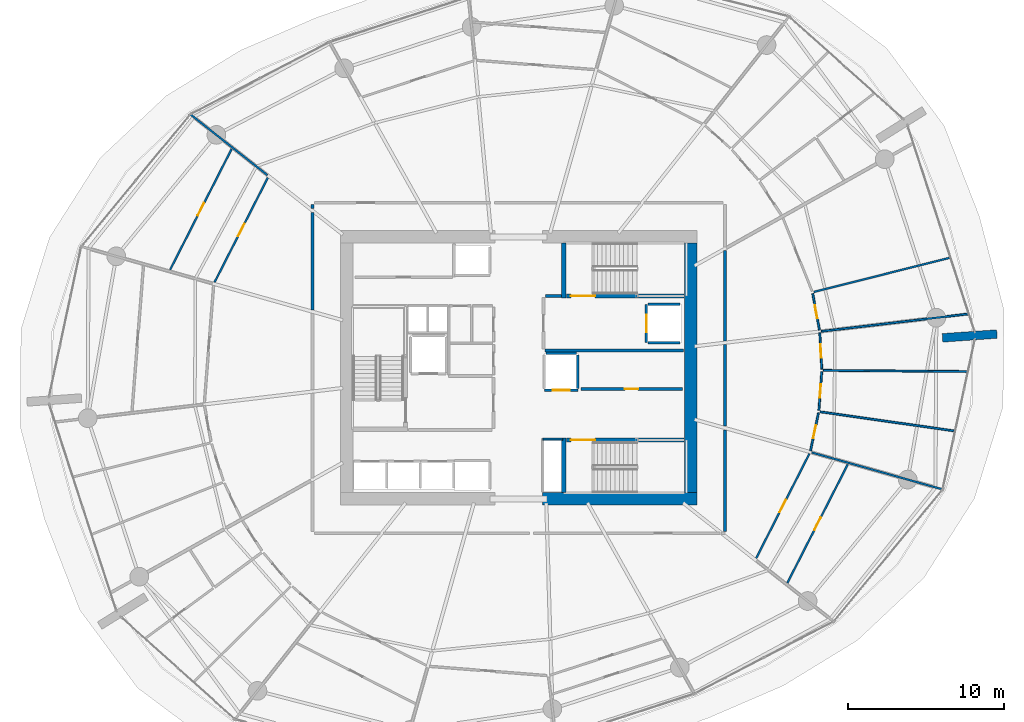
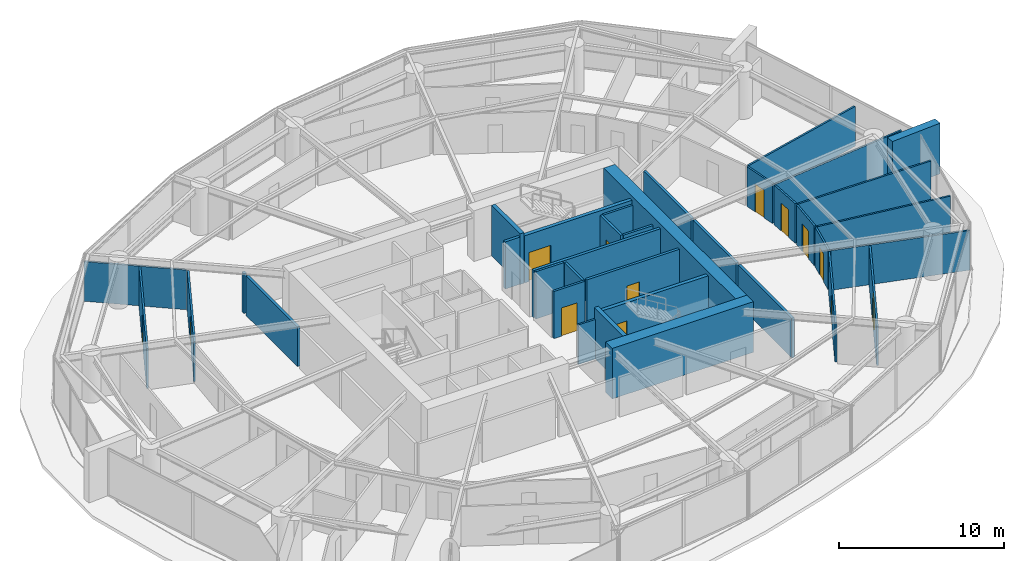
# One storey, part 14 of 17: 36 walls, 13 doors, 13 openings.
"""IFC4 building model written with IfcOpenShell, lengths in metres."""

from ifc_helpers import new_model, si_unit, direction, frame, frame_2d, origin, place, context, subcontext, project, spatial, rectangle, extrude, material, layer, layer_set, type_object, element, fill, save


model = new_model("IFC4")

# Units and contexts
model_context = context("Model", 3, precision=1e-05, world=origin(), true_north=direction((0.0, 1.0)))
body_context = subcontext(model_context, "Body", "Model", "MODEL_VIEW")
ifc_project = project(units=[si_unit("LENGTHUNIT", "METRE"), si_unit("AREAUNIT", "SQUARE_METRE"), si_unit("VOLUMEUNIT", "CUBIC_METRE"), si_unit("PLANEANGLEUNIT", "RADIAN"), si_unit("MASSUNIT", "GRAM", prefix="KILO")], contexts=[model_context])

# Site, building, storey
site_placement = place(None, origin())
site = spatial("IfcSite", under=ifc_project, at=site_placement, CompositionType="ELEMENT")
building_placement = place(site_placement, origin())
building = spatial("IfcBuilding", under=site, at=building_placement, Name="Kazma Halo Residences", CompositionType="ELEMENT")
storey_placement = place(building_placement, frame((0.0, 0.0, 75.14990234375)))
storey = spatial("IfcBuildingStorey", under=building, at=storey_placement, Name="L18", CompositionType="ELEMENT", Elevation=75.14990234375)

# Walls
ifc_material_1 = material(Name="Pale Concrete C60/75", Category="concrete")
ifc_layer_1 = layer(ifc_material_1, 0.550048828125)
ifc_layer_set_1 = layer_set([ifc_layer_1], Name="Pale Concrete C60/75")
wall_type_1 = type_object("IfcWallType", Name="WL-BLADE-550", PredefinedType="SOLIDWALL", material=ifc_layer_set_1)
wall_1_placement = place(storey_placement, frame((75.606201171875, 43.930419921875, 0.0), z_axis=(0.0, 0.0, 1.0), x_axis=(0.997564163539, 0.069754853754, 0.0)))
element("IfcWall", 1, at=wall_1_placement, inside=storey, type_object=wall_type_1, Name="L18 pale concrete structural blade fin wall BW-04", PredefinedType="SOLIDWALL", context=body_context, shape_type="SweptSolid", body=[
    extrude(rectangle(XDim=3.5, YDim=0.550048828125, at=frame_2d((1.75, 0.0))), origin(), (0.0, 0.0, 1.0), 3.75),
])
ifc_material_2 = material(Name="Concrete C80/95", Category="concrete")
ifc_layer_2 = layer(ifc_material_2, 0.800048828125)
ifc_layer_set_2 = layer_set([ifc_layer_2], Name="Concrete C80/95")
wall_type_2 = type_object("IfcWallType", Name="WL-CORE-800", PredefinedType="SHEAR", material=ifc_layer_set_2)
wall_2_placement = place(storey_placement, frame((49.949951171875, 33.60009765625, 0.0), z_axis=(0.0, 0.0, 1.0), x_axis=(1.0, 0.0, 0.0)))
element("IfcWall", 2, at=wall_2_placement, inside=storey, type_object=wall_type_2, Name="L18 central core shear wall SE", PredefinedType="SHEAR", context=body_context, shape_type="SweptSolid", body=[
    extrude(rectangle(XDim=9.900146484375, YDim=0.800048828125, at=frame_2d((4.9501953125, 0.0))), origin(), (0.0, 0.0, 1.0), 3.75),
])
wall_3_placement = place(storey_placement, frame((59.449951171875, 34.0, 0.0), z_axis=(0.0, 0.0, 1.0), x_axis=(0.0, 1.0, 0.0)))
element("IfcWall", 3, at=wall_3_placement, inside=storey, type_object=wall_type_2, Name="L18 central core shear wall E", PredefinedType="SHEAR", context=body_context, shape_type="SweptSolid", body=[
    extrude(rectangle(XDim=16.0, YDim=0.800048828125, at=frame_2d((8.0, 0.0))), origin(), (0.0, 0.0, 1.0), 3.75),
])
ifc_material_3 = material(Name="Concrete C60/75", Category="concrete")
ifc_layer_3 = layer(ifc_material_3, 0.280029296875)
ifc_layer_set_3 = layer_set([ifc_layer_3], Name="Concrete C60/75")
wall_type_3 = type_object("IfcWallType", Name="WL-CORE-ST-280", PredefinedType="SHEAR", material=ifc_layer_set_3)
for number, where, z_axis, x_axis, name in (
    (4, (51.31005859375, 46.5, 0.0), (0.0, 0.0, 1.0), (0.0, 1.0, 0.0), "L18 stairwell bearing wall ST02-W"),
    (5, (51.31005859375, 34.0, 0.0), (0.0, 0.0, 1.0), (0.0, 1.0, 0.0), "L18 stairwell bearing wall ST03-W"),
):
    element("IfcWall", number, at=place(storey_placement, frame(where, z_axis=z_axis, x_axis=x_axis)), inside=storey, type_object=wall_type_3, Name=name, PredefinedType="SHEAR", context=body_context, shape_type="SweptSolid", body=[
        extrude(rectangle(XDim=3.5, YDim=0.280029296875, at=frame_2d((1.75, 0.0))), origin(), (0.0, 0.0, 1.0), 3.75),
    ])
ifc_material_4 = material(Name="Acoustic Twin-Stud Gypsum")
ifc_layer_4 = layer(ifc_material_4, 0.179931640625)
ifc_layer_set_4 = layer_set([ifc_layer_4], Name="Acoustic Twin-Stud Gypsum")
wall_type_4 = type_object("IfcWallType", Name="WL-DEM-180", PredefinedType="PARTITIONING", material=ifc_layer_set_4)
wall_4_placement = place(storey_placement, frame((35.199951171875, 52.47998046875, 0.0), z_axis=(0.0, 0.0, 1.0), x_axis=(0.0, -1.0, 0.0)))
element("IfcWall", 6, at=wall_4_placement, inside=storey, type_object=wall_type_4, Name="L18 Apartment 1 entrance corridor wall", PredefinedType="PARTITIONING", context=body_context, shape_type="SweptSolid", body=[
    extrude(rectangle(XDim=0.269287109375, YDim=0.179931640625, at=frame_2d((0.134765625, 0.0))), origin(), (0.0, 0.0, 1.0), 2.940185546875),
])
wall_5_placement = place(storey_placement, frame((35.199951171875, 51.970703125, 0.0), z_axis=(0.0, 0.0, 1.0), x_axis=(0.0, -1.0, 0.0)))
element("IfcWall", 7, at=wall_5_placement, inside=storey, type_object=wall_type_4, Name="L18 Apartment 1 inner wall 5", PredefinedType="PARTITIONING", context=body_context, shape_type="SweptSolid", body=[
    extrude(rectangle(XDim=6.24072265625, YDim=0.179931640625, at=frame_2d((3.120361328125, 0.0))), origin(), (0.0, 0.0, 1.0), 2.940185546875),
])
wall_6_placement = place(storey_placement, frame((61.64990234375, 31.52001953125, 0.0), z_axis=(0.0, 0.0, 1.0), x_axis=(0.0, 1.0, 0.0)))
element("IfcWall", 8, at=wall_6_placement, inside=storey, type_object=wall_type_4, Name="L18 Apartment 2 inner wall 13", PredefinedType="PARTITIONING", context=body_context, shape_type="SweptSolid", body=[
    extrude(rectangle(XDim=6.51025390625, YDim=0.179931640625, at=frame_2d((3.255126953125, 0.0))), origin(), (0.0, 0.0, 1.0), 2.940185546875),
])
wall_7_placement = place(storey_placement, frame((61.64990234375, 38.270263671875, 0.0), z_axis=(0.0, 0.0, 1.0), x_axis=(0.0, 1.0, 0.0)))
element("IfcWall", 9, at=wall_7_placement, inside=storey, type_object=wall_type_4, Name="L18 Apartment 2 inner wall 14", PredefinedType="PARTITIONING", context=body_context, shape_type="SweptSolid", body=[
    extrude(rectangle(XDim=5.225341796875, YDim=0.179931640625, at=frame_2d((2.61279296875, 0.0))), origin(), (0.0, 0.0, 1.0), 2.940185546875),
])
wall_8_placement = place(storey_placement, frame((61.64990234375, 43.735595703125, 0.0), z_axis=(0.0, 0.0, 1.0), x_axis=(0.0, 1.0, 0.0)))
element("IfcWall", 10, at=wall_8_placement, inside=storey, type_object=wall_type_4, Name="L18 Apartment 2 inner wall 15", PredefinedType="PARTITIONING", context=body_context, shape_type="SweptSolid", body=[
    extrude(rectangle(XDim=5.788818359375, YDim=0.179931640625, at=frame_2d((2.89453125, 0.0))), origin(), (0.0, 0.0, 1.0), 2.940185546875),
])

# Wall, opening, door
ifc_material_5 = material(Name="Fire-Rated Blockwork Masonry", Category="masonry")
ifc_layer_5 = layer(ifc_material_5, 0.199951171875)
ifc_layer_set_5 = layer_set([ifc_layer_5], Name="Fire-Rated Blockwork Masonry")
wall_type_5 = type_object("IfcWallType", Name="WL-FLB-200", PredefinedType="PARTITIONING", material=ifc_layer_set_5)
wall_9_placement = place(storey_placement, frame((56.6201171875, 46.080078125, 0.0), z_axis=(0.0, 0.0, 1.0), x_axis=(0.0, -1.0, 0.0)))
wall_9 = element("IfcWall", 11, at=wall_9_placement, inside=storey, type_object=wall_type_5, Name="L18 lift shaft FL-02 front wall", PredefinedType="PARTITIONING", context=body_context, shape_type="SweptSolid", body=[
    extrude(rectangle(XDim=2.4599609375, YDim=0.159912109375, at=frame_2d((1.22998046875, 0.0))), origin(), (0.0, 0.0, 1.0), 3.5),
])
opening_1_placement = place(wall_9_placement, frame((0.679931640625, 0.0, 0.0)))
opening_1 = element("IfcOpeningElement", 12, at=opening_1_placement, cuts=wall_9, Name="Opening LD-FL-02", PredefinedType="OPENING", context=body_context, shape_type="SweptSolid", body=[
    extrude(rectangle(XDim=1.10009765625, YDim=2.10009765625, at=frame_2d((0.550048828125, 1.050048828125))), frame((0.0, 0.08984375, 0.0), z_axis=(0.0, -1.0, 0.0), x_axis=(1.0, 0.0, 0.0)), (0.0, 0.0, 1.0), 0.179931640625),
])
ifc_material_6 = material(Name="Stainless Steel Fire-Rated", Category="steel")
door_type_1 = type_object("IfcDoorType", Name="DR-LIFT-SLD-1100", OperationType="DOUBLE_DOOR_SLIDING", PredefinedType="DOOR", material=ifc_material_6)
door_1_placement = place(opening_1_placement, origin())
door_1 = element("IfcDoor", 13, at=door_1_placement, inside=storey, type_object=door_type_1, Name="L18 lift FL-02 sliding landing door", OperationType="DOUBLE_DOOR_SLIDING", OverallHeight=2.10009765625, OverallWidth=1.10009765625, PredefinedType="DOOR", context=body_context, shape_type="SweptSolid", body=[
    extrude(rectangle(XDim=1.10009765625, YDim=2.10009765625, at=frame_2d((0.550048828125, 1.050048828125))), frame((0.0, 0.02490234375, 0.0), z_axis=(0.0, -1.0, 0.0), x_axis=(1.0, 0.0, 0.0)), (0.0, 0.0, 1.0), 0.050048828125),
])
fill(opening_1, door_1)

# Walls
for number, where, z_axis, x_axis, name in (
    (14, (56.719970703125, 46.080078125, 0.0), (0.0, 0.0, 1.0), (1.0, 0.0, 0.0), "L18 lift shaft FL-02 side wall N"),
    (15, (56.719970703125, 43.6201171875, 0.0), (0.0, 0.0, 1.0), (1.0, 0.0, 0.0), "L18 lift shaft FL-02 side wall S"),
):
    element("IfcWall", number, at=place(storey_placement, frame(where, z_axis=z_axis, x_axis=x_axis)), inside=storey, type_object=wall_type_5, Name=name, PredefinedType="PARTITIONING", context=body_context, shape_type="SweptSolid", body=[
        extrude(rectangle(XDim=2.06005859375, YDim=0.159912109375, at=frame_2d((1.030029296875, 0.0))), origin(), (0.0, 0.0, 1.0), 3.5),
    ])

# Wall, opening, door
wall_10_placement = place(storey_placement, frame((52.22998046875, 40.570068359375, 0.0), z_axis=(0.0, 0.0, 1.0), x_axis=(-1.0, 0.0, 0.0)))
wall_10 = element("IfcWall", 16, at=wall_10_placement, inside=storey, type_object=wall_type_5, Name="L18 lift shaft SV-01 front wall", PredefinedType="PARTITIONING", context=body_context, shape_type="SweptSolid", body=[
    extrude(rectangle(XDim=2.159912109375, YDim=0.159912109375, at=frame_2d((1.080078125, 0.0))), origin(), (0.0, 0.0, 1.0), 3.5),
])
opening_2_placement = place(wall_10_placement, frame((0.530029296875, 0.0, 0.0)))
opening_2 = element("IfcOpeningElement", 17, at=opening_2_placement, cuts=wall_10, Name="Opening LD-SV-01", PredefinedType="OPENING", context=body_context, shape_type="SweptSolid", body=[
    extrude(rectangle(XDim=1.10009765625, YDim=2.10009765625, at=frame_2d((0.550048828125, 1.050048828125))), frame((0.0, 0.08984375, 0.0), z_axis=(0.0, -1.0, 0.0), x_axis=(1.0, 0.0, 0.0)), (0.0, 0.0, 1.0), 0.179931640625),
])
door_2_placement = place(opening_2_placement, origin())
door_2 = element("IfcDoor", 18, at=door_2_placement, inside=storey, type_object=door_type_1, Name="L18 lift SV-01 sliding landing door", OperationType="DOUBLE_DOOR_SLIDING", OverallHeight=2.10009765625, OverallWidth=1.10009765625, PredefinedType="DOOR", context=body_context, shape_type="SweptSolid", body=[
    extrude(rectangle(XDim=1.10009765625, YDim=2.10009765625, at=frame_2d((0.550048828125, 1.050048828125))), frame((0.0, 0.02490234375, 0.0), z_axis=(0.0, -1.0, 0.0), x_axis=(1.0, 0.0, 0.0)), (0.0, 0.0, 1.0), 0.050048828125),
])
fill(opening_2, door_2)

# Walls
wall_11_placement = place(storey_placement, frame((52.22998046875, 40.669921875, 0.0), z_axis=(0.0, 0.0, 1.0), x_axis=(0.0, 1.0, 0.0)))
element("IfcWall", 19, at=wall_11_placement, inside=storey, type_object=wall_type_5, Name="L18 lift shaft SV-01 side wall E", PredefinedType="PARTITIONING", context=body_context, shape_type="SweptSolid", body=[
    extrude(rectangle(XDim=2.16015625, YDim=0.159912109375, at=frame_2d((1.080078125, 0.0))), origin(), (0.0, 0.0, 1.0), 3.5),
])
wall_12_placement = place(storey_placement, frame((50.169921875, 42.929931640625, 0.0), z_axis=(0.0, 0.0, 1.0), x_axis=(1.0, 0.0, 0.0)))
element("IfcWall", 20, at=wall_12_placement, inside=storey, type_object=wall_type_5, Name="L18 lift shaft SV-01 side wall N", PredefinedType="PARTITIONING", context=body_context, shape_type="SweptSolid", body=[
    extrude(rectangle(XDim=1.9599609375, YDim=0.159912109375, at=frame_2d((0.97998046875, 0.0))), origin(), (0.0, 0.0, 1.0), 3.5),
])

# Wall, opening, door
wall_13_placement = place(storey_placement, frame((52.419921875, 40.64990234375, 0.0), z_axis=(0.0, 0.0, 1.0), x_axis=(1.0, 0.0, 0.0)))
wall_13 = element("IfcWall", 21, at=wall_13_placement, inside=storey, type_object=wall_type_5, Name="L18 core east reserve wall", PredefinedType="PARTITIONING", context=body_context, shape_type="SweptSolid", body=[
    extrude(rectangle(XDim=6.5, YDim=0.179931640625, at=frame_2d((3.25, 0.0))), origin(), (0.0, 0.0, 1.0), 3.5),
])
opening_3_placement = place(wall_13_placement, frame((2.824951171875, 0.0, 0.0)))
opening_3 = element("IfcOpeningElement", 22, at=opening_3_placement, cuts=wall_13, Name="Opening DS-850", PredefinedType="OPENING", context=body_context, shape_type="SweptSolid", body=[
    extrude(rectangle(XDim=0.85009765625, YDim=2.06005859375, at=frame_2d((0.425048828125, 1.030029296875))), frame((0.0, 0.099853515625, 0.0), z_axis=(0.0, -1.0, 0.0), x_axis=(1.0, 0.0, 0.0)), (0.0, 0.0, 1.0), 0.199951171875),
])
ifc_material_7 = material(Name="Painted Steel Access Leaf", Category="steel")
door_type_2 = type_object("IfcDoorType", Name="DR-SVC-850", OperationType="NOTDEFINED", PredefinedType="DOOR", material=ifc_material_7)
door_3_placement = place(opening_3_placement, origin())
door_3 = element("IfcDoor", 23, at=door_3_placement, inside=storey, type_object=door_type_2, Name="L18 core east reserve door", OperationType="SINGLE_SWING_LEFT", OverallHeight=2.06005859375, OverallWidth=0.85009765625, PredefinedType="DOOR", context=body_context, shape_type="SweptSolid", body=[
    extrude(rectangle(XDim=0.85009765625, YDim=2.06005859375, at=frame_2d((0.425048828125, 1.030029296875))), frame((0.0, 0.02490234375, 0.0), z_axis=(0.0, -1.0, 0.0), x_axis=(1.0, 0.0, 0.0)), (0.0, 0.0, 1.0), 0.050048828125),
])
fill(opening_3, door_3)

# Walls
wall_14_placement = place(storey_placement, frame((50.1201171875, 43.1201171875, 0.0), z_axis=(0.0, 0.0, 1.0), x_axis=(1.0, 0.0, 0.0)))
element("IfcWall", 24, at=wall_14_placement, inside=storey, type_object=wall_type_5, Name="L18 east firefighting lobby south smoke wall", PredefinedType="PARTITIONING", context=body_context, shape_type="SweptSolid", body=[
    extrude(rectangle(XDim=8.8798828125, YDim=0.199951171875, at=frame_2d((4.43994140625, 0.0))), origin(), (0.0, 0.0, 1.0), 3.5),
])
wall_15_placement = place(storey_placement, frame((50.139892578125, 46.6201171875, 0.0), z_axis=(0.0, 0.0, 1.0), x_axis=(1.0, 0.0, 0.0)))
element("IfcWall", 25, at=wall_15_placement, inside=storey, type_object=wall_type_5, Name="L18 east firefighting lobby north closure wall", PredefinedType="PARTITIONING", context=body_context, shape_type="SweptSolid", body=[
    extrude(rectangle(XDim=1.02001953125, YDim=0.199951171875, at=frame_2d((0.510009765625, 0.0))), origin(), (0.0, 0.0, 1.0), 3.5),
])
ifc_material_8 = material(Name="Gypsum Plasterboard Partition")
ifc_layer_6 = layer(ifc_material_8, 0.125)
ifc_layer_set_6 = layer_set([ifc_layer_6], Name="Gypsum Plasterboard Partition")
wall_type_6 = type_object("IfcWallType", Name="WL-PART-125", PredefinedType="PARTITIONING", material=ifc_layer_set_6)
wall_16_placement = place(storey_placement, frame((49.97998046875, 37.43994140625, 0.0), z_axis=(0.0, 0.0, 1.0), x_axis=(1.0, 0.0, 0.0)))
element("IfcWall", 26, at=wall_16_placement, inside=storey, type_object=wall_type_6, Name="L18 standpipe riser north wall", PredefinedType="PARTITIONING", context=body_context, shape_type="SweptSolid", body=[
    extrude(rectangle(XDim=1.260009765625, YDim=0.125, at=frame_2d((0.6298828125, 0.0))), origin(), (0.0, 0.0, 1.0), 2.940185546875),
])
wall_17_placement = place(storey_placement, frame((32.315673828125, 54.364501953125, 0.0), z_axis=(0.0, 0.0, 1.0), x_axis=(-0.785296487737, 0.619119880434, 0.0)))
element("IfcWall", 27, at=wall_17_placement, inside=storey, type_object=wall_type_6, Name="L18 Apartment 1 radial partition 5", PredefinedType="PARTITIONING", context=body_context, shape_type="SweptSolid", body=[
    extrude(rectangle(XDim=6.265869140625, YDim=0.125, at=frame_2d((3.1328125, 0.0))), origin(), (0.0, 0.0, 1.0), 2.940185546875),
])

# Wall, opening, door
wall_18_placement = place(storey_placement, frame((32.34423828125, 54.20458984375, 0.0), z_axis=(0.0, 0.0, 1.0), x_axis=(-0.453993260123, -0.891005117697, 0.0)))
wall_18 = element("IfcWall", 28, at=wall_18_placement, inside=storey, type_object=wall_type_6, Name="L18 Apartment 1 Outer Study hall wall", PredefinedType="PARTITIONING", context=body_context, shape_type="SweptSolid", body=[
    extrude(rectangle(XDim=7.533447265625, YDim=0.125, at=frame_2d((3.7666015625, 0.0))), origin(), (0.0, 0.0, 1.0), 2.940185546875),
])
opening_4_placement = place(wall_18_placement, frame((3.31689453125, 0.0, 0.0)))
opening_4 = element("IfcOpeningElement", 29, at=opening_4_placement, cuts=wall_18, Name="Opening DI-950", PredefinedType="OPENING", context=body_context, shape_type="SweptSolid", body=[
    extrude(rectangle(XDim=0.89990234375, YDim=2.080078125, at=frame_2d((0.449951171875, 1.0400390625))), frame((0.0, 0.072509765625, 0.0), z_axis=(0.0, -1.0, 0.0), x_axis=(1.0, 0.0, 0.0)), (0.0, 0.0, 1.0), 0.14501953125),
])
ifc_material_9 = material(Name="Timber Veneer Flush Leaf", Category="wood")
door_type_3 = type_object("IfcDoorType", Name="DR-INT-950", OperationType="NOTDEFINED", PredefinedType="DOOR", material=ifc_material_9)
door_4_placement = place(opening_4_placement, origin())
door_4 = element("IfcDoor", 30, at=door_4_placement, inside=storey, type_object=door_type_3, Name="L18 Apartment 1 Outer Study door", OperationType="SINGLE_SWING_RIGHT", OverallHeight=2.080078125, OverallWidth=0.89990234375, PredefinedType="DOOR", context=body_context, shape_type="SweptSolid", body=[
    extrude(rectangle(XDim=0.89990234375, YDim=2.080078125, at=frame_2d((0.449951171875, 1.0400390625))), frame((0.0, 0.02490234375, 0.0), z_axis=(0.0, -1.0, 0.0), x_axis=(1.0, 0.0, 0.0)), (0.0, 0.0, 1.0), 0.050048828125),
])
fill(opening_4, door_4)

wall_19_placement = place(storey_placement, frame((30.01904296875, 56.037841796875, 0.0), z_axis=(0.0, 0.0, 1.0), x_axis=(-0.454000280442, -0.891001540604, 0.0)))
wall_19 = element("IfcWall", 31, at=wall_19_placement, inside=storey, type_object=wall_type_6, Name="L18 Apartment 1 Corner Master Bedroom divider wall", PredefinedType="PARTITIONING", context=body_context, shape_type="SweptSolid", body=[
    extrude(rectangle(XDim=8.68896484375, YDim=0.125, at=frame_2d((4.344482421875, 0.0))), origin(), (0.0, 0.0, 1.0), 2.940185546875),
])
opening_5_placement = place(wall_19_placement, frame((3.89453125, 0.0, 0.0)))
opening_5 = element("IfcOpeningElement", 32, at=opening_5_placement, cuts=wall_19, Name="Opening DI-950", PredefinedType="OPENING", context=body_context, shape_type="SweptSolid", body=[
    extrude(rectangle(XDim=0.89990234375, YDim=2.080078125, at=frame_2d((0.449951171875, 1.0400390625))), frame((0.0, 0.072509765625, 0.0), z_axis=(0.0, -1.0, 0.0), x_axis=(1.0, 0.0, 0.0)), (0.0, 0.0, 1.0), 0.14501953125),
])
door_5_placement = place(opening_5_placement, origin())
door_5 = element("IfcDoor", 33, at=door_5_placement, inside=storey, type_object=door_type_3, Name="L18 Apartment 1 Corner Master Bedroom door", OperationType="SINGLE_SWING_LEFT", OverallHeight=2.080078125, OverallWidth=0.89990234375, PredefinedType="DOOR", context=body_context, shape_type="SweptSolid", body=[
    extrude(rectangle(XDim=0.89990234375, YDim=2.080078125, at=frame_2d((0.449951171875, 1.0400390625))), frame((0.0, 0.02490234375, 0.0), z_axis=(0.0, -1.0, 0.0), x_axis=(1.0, 0.0, 0.0)), (0.0, 0.0, 1.0), 0.050048828125),
])
fill(opening_5, door_5)

wall_20_placement = place(storey_placement, frame((63.65576171875, 29.79541015625, 0.0), z_axis=(0.0, 0.0, 1.0), x_axis=(0.453993260123, 0.891005117697, 0.0)))
wall_20 = element("IfcWall", 34, at=wall_20_placement, inside=storey, type_object=wall_type_6, Name="L18 Apartment 2 Outer Study hall wall", PredefinedType="PARTITIONING", context=body_context, shape_type="SweptSolid", body=[
    extrude(rectangle(XDim=7.533447265625, YDim=0.125, at=frame_2d((3.7666015625, 0.0))), origin(), (0.0, 0.0, 1.0), 2.940185546875),
])
opening_6_placement = place(wall_20_placement, frame((3.31689453125, 0.0, 0.0)))
opening_6 = element("IfcOpeningElement", 35, at=opening_6_placement, cuts=wall_20, Name="Opening DI-950", PredefinedType="OPENING", context=body_context, shape_type="SweptSolid", body=[
    extrude(rectangle(XDim=0.89990234375, YDim=2.080078125, at=frame_2d((0.449951171875, 1.0400390625))), frame((0.0, 0.072509765625, 0.0), z_axis=(0.0, -1.0, 0.0), x_axis=(1.0, 0.0, 0.0)), (0.0, 0.0, 1.0), 0.14501953125),
])
door_6_placement = place(opening_6_placement, origin())
door_6 = element("IfcDoor", 36, at=door_6_placement, inside=storey, type_object=door_type_3, Name="L18 Apartment 2 Outer Study door", OperationType="SINGLE_SWING_RIGHT", OverallHeight=2.080078125, OverallWidth=0.89990234375, PredefinedType="DOOR", context=body_context, shape_type="SweptSolid", body=[
    extrude(rectangle(XDim=0.89990234375, YDim=2.080078125, at=frame_2d((0.449951171875, 1.0400390625))), frame((0.0, 0.02490234375, 0.0), z_axis=(0.0, -1.0, 0.0), x_axis=(1.0, 0.0, 0.0)), (0.0, 0.0, 1.0), 0.050048828125),
])
fill(opening_6, door_6)

wall_21_placement = place(storey_placement, frame((65.6591796875, 28.216064453125, 0.0), z_axis=(0.0, 0.0, 1.0), x_axis=(0.453990530045, 0.891006508747, 0.0)))
wall_21 = element("IfcWall", 37, at=wall_21_placement, inside=storey, type_object=wall_type_6, Name="L18 Apartment 2 Corner Master Bedroom divider wall", PredefinedType="PARTITIONING", context=body_context, shape_type="SweptSolid", body=[
    extrude(rectangle(XDim=8.529052734375, YDim=0.125, at=frame_2d((4.2646484375, 0.0))), origin(), (0.0, 0.0, 1.0), 2.940185546875),
])
opening_7_placement = place(wall_21_placement, frame((3.814453125, 0.0, 0.0)))
opening_7 = element("IfcOpeningElement", 38, at=opening_7_placement, cuts=wall_21, Name="Opening DI-950", PredefinedType="OPENING", context=body_context, shape_type="SweptSolid", body=[
    extrude(rectangle(XDim=0.89990234375, YDim=2.080078125, at=frame_2d((0.449951171875, 1.0400390625))), frame((0.0, 0.072509765625, 0.0), z_axis=(0.0, -1.0, 0.0), x_axis=(1.0, 0.0, 0.0)), (0.0, 0.0, 1.0), 0.14501953125),
])
door_7_placement = place(opening_7_placement, origin())
door_7 = element("IfcDoor", 39, at=door_7_placement, inside=storey, type_object=door_type_3, Name="L18 Apartment 2 Corner Master Bedroom door", OperationType="SINGLE_SWING_LEFT", OverallHeight=2.080078125, OverallWidth=0.89990234375, PredefinedType="DOOR", context=body_context, shape_type="SweptSolid", body=[
    extrude(rectangle(XDim=0.89990234375, YDim=2.080078125, at=frame_2d((0.449951171875, 1.0400390625))), frame((0.0, 0.02490234375, 0.0), z_axis=(0.0, -1.0, 0.0), x_axis=(1.0, 0.0, 0.0)), (0.0, 0.0, 1.0), 0.050048828125),
])
fill(opening_7, door_7)

# Walls
wall_22_placement = place(storey_placement, frame((67.22216796875, 36.578857421875, 0.0), z_axis=(0.0, 0.0, 1.0), x_axis=(0.962454564098, -0.271442833847, 0.0)))
element("IfcWall", 40, at=wall_22_placement, inside=storey, type_object=wall_type_6, Name="L18 Apartment 2 radial partition 14", PredefinedType="PARTITIONING", context=body_context, shape_type="SweptSolid", body=[
    extrude(rectangle(XDim=8.69921875, YDim=0.125, at=frame_2d((4.349609375, 0.0))), origin(), (0.0, 0.0, 1.0), 2.940185546875),
])
wall_23_placement = place(storey_placement, frame((67.762939453125, 39.187255859375, 0.0), z_axis=(0.0, 0.0, 1.0), x_axis=(0.99002382377, -0.14090006518, 0.0)))
element("IfcWall", 41, at=wall_23_placement, inside=storey, type_object=wall_type_6, Name="L18 Apartment 2 bay wall 1 14", PredefinedType="PARTITIONING", context=body_context, shape_type="SweptSolid", body=[
    extrude(rectangle(XDim=8.720703125, YDim=0.125, at=frame_2d((4.3603515625, 0.0))), origin(), (0.0, 0.0, 1.0), 2.940185546875),
])
wall_24_placement = place(storey_placement, frame((67.96142578125, 41.84326171875, 0.0), z_axis=(0.0, 0.0, 1.0), x_axis=(0.999969091277, -0.007862346355, 0.0)))
element("IfcWall", 42, at=wall_24_placement, inside=storey, type_object=wall_type_6, Name="L18 Apartment 2 bay wall 2 14", PredefinedType="PARTITIONING", context=body_context, shape_type="SweptSolid", body=[
    extrude(rectangle(XDim=9.25341796875, YDim=0.125, at=frame_2d((4.626708984375, 0.0))), origin(), (0.0, 0.0, 1.0), 2.940185546875),
])

# Wall, opening, door
wall_25_placement = place(storey_placement, frame((67.142333984375, 36.68408203125, 0.0), z_axis=(0.0, 0.0, 1.0), x_axis=(0.20667718161, 0.978409189757, 0.0)))
wall_25 = element("IfcWall", 43, at=wall_25_placement, inside=storey, type_object=wall_type_6, Name="L18 Apartment 2 Gulf Bedroom hall wall", PredefinedType="PARTITIONING", context=body_context, shape_type="SweptSolid", body=[
    extrude(rectangle(XDim=2.4912109375, YDim=0.125, at=frame_2d((1.24560546875, 0.0))), origin(), (0.0, 0.0, 1.0), 2.940185546875),
])
opening_8_placement = place(wall_25_placement, frame((0.820556640625, 0.0, 0.0)))
opening_8 = element("IfcOpeningElement", 44, at=opening_8_placement, cuts=wall_25, Name="Opening DB-900", PredefinedType="OPENING", context=body_context, shape_type="SweptSolid", body=[
    extrude(rectangle(XDim=0.85009765625, YDim=2.06005859375, at=frame_2d((0.425048828125, 1.030029296875))), frame((0.0, 0.072509765625, 0.0), z_axis=(0.0, -1.0, 0.0), x_axis=(1.0, 0.0, 0.0)), (0.0, 0.0, 1.0), 0.14501953125),
])
ifc_material_10 = material(Name="Moisture-Sealed Timber Leaf", Category="wood")
door_type_4 = type_object("IfcDoorType", Name="DR-BTH-900", OperationType="NOTDEFINED", PredefinedType="DOOR", material=ifc_material_10)
door_8_placement = place(opening_8_placement, origin())
door_8 = element("IfcDoor", 45, at=door_8_placement, inside=storey, type_object=door_type_4, Name="L18 Apartment 2 Gulf Bedroom door", OperationType="SINGLE_SWING_RIGHT", OverallHeight=2.06005859375, OverallWidth=0.85009765625, PredefinedType="DOOR", context=body_context, shape_type="SweptSolid", body=[
    extrude(rectangle(XDim=0.85009765625, YDim=2.06005859375, at=frame_2d((0.425048828125, 1.030029296875))), frame((0.0, 0.02490234375, 0.0), z_axis=(0.0, -1.0, 0.0), x_axis=(1.0, 0.0, 0.0)), (0.0, 0.0, 1.0), 0.050048828125),
])
fill(opening_8, door_8)

wall_26_placement = place(storey_placement, frame((67.6796875, 39.27978515625, 0.0), z_axis=(0.0, 0.0, 1.0), x_axis=(0.074575559496, 0.997215365869, 0.0)))
wall_26 = element("IfcWall", 46, at=wall_26_placement, inside=storey, type_object=wall_type_6, Name="L18 Apartment 2 Primary Study hall wall", PredefinedType="PARTITIONING", context=body_context, shape_type="SweptSolid", body=[
    extrude(rectangle(XDim=2.4912109375, YDim=0.125, at=frame_2d((1.24560546875, 0.0))), origin(), (0.0, 0.0, 1.0), 2.940185546875),
])
opening_9_placement = place(wall_26_placement, frame((0.820556640625, 0.0, 0.0)))
opening_9 = element("IfcOpeningElement", 47, at=opening_9_placement, cuts=wall_26, Name="Opening DB-900", PredefinedType="OPENING", context=body_context, shape_type="SweptSolid", body=[
    extrude(rectangle(XDim=0.85009765625, YDim=2.06005859375, at=frame_2d((0.425048828125, 1.030029296875))), frame((0.0, 0.072509765625, 0.0), z_axis=(0.0, -1.0, 0.0), x_axis=(1.0, 0.0, 0.0)), (0.0, 0.0, 1.0), 0.14501953125),
])
door_9_placement = place(opening_9_placement, origin())
door_9 = element("IfcDoor", 48, at=door_9_placement, inside=storey, type_object=door_type_4, Name="L18 Apartment 2 Primary Study door", OperationType="SINGLE_SWING_LEFT", OverallHeight=2.06005859375, OverallWidth=0.85009765625, PredefinedType="DOOR", context=body_context, shape_type="SweptSolid", body=[
    extrude(rectangle(XDim=0.85009765625, YDim=2.06005859375, at=frame_2d((0.425048828125, 1.030029296875))), frame((0.0, 0.02490234375, 0.0), z_axis=(0.0, -1.0, 0.0), x_axis=(1.0, 0.0, 0.0)), (0.0, 0.0, 1.0), 0.050048828125),
])
fill(opening_9, door_9)

wall_27_placement = place(storey_placement, frame((67.866943359375, 41.923828125, 0.0), z_axis=(0.0, 0.0, 1.0), x_axis=(-0.054879482566, 0.998492985651, 0.0)))
wall_27 = element("IfcWall", 49, at=wall_27_placement, inside=storey, type_object=wall_type_6, Name="L18 Apartment 2 Secondary Bedroom hall wall", PredefinedType="PARTITIONING", context=body_context, shape_type="SweptSolid", body=[
    extrude(rectangle(XDim=2.33544921875, YDim=0.125, at=frame_2d((1.167724609375, 0.0))), origin(), (0.0, 0.0, 1.0), 2.940185546875),
])
opening_10_placement = place(wall_27_placement, frame((0.742919921875, 0.0, 0.0)))
opening_10 = element("IfcOpeningElement", 50, at=opening_10_placement, cuts=wall_27, Name="Opening DB-900", PredefinedType="OPENING", context=body_context, shape_type="SweptSolid", body=[
    extrude(rectangle(XDim=0.85009765625, YDim=2.06005859375, at=frame_2d((0.425048828125, 1.030029296875))), frame((0.0, 0.072509765625, 0.0), z_axis=(0.0, -1.0, 0.0), x_axis=(1.0, 0.0, 0.0)), (0.0, 0.0, 1.0), 0.14501953125),
])
door_10_placement = place(opening_10_placement, origin())
door_10 = element("IfcDoor", 51, at=door_10_placement, inside=storey, type_object=door_type_4, Name="L18 Apartment 2 Secondary Bedroom door", OperationType="SINGLE_SWING_RIGHT", OverallHeight=2.06005859375, OverallWidth=0.85009765625, PredefinedType="DOOR", context=body_context, shape_type="SweptSolid", body=[
    extrude(rectangle(XDim=0.85009765625, YDim=2.06005859375, at=frame_2d((0.425048828125, 1.030029296875))), frame((0.0, 0.02490234375, 0.0), z_axis=(0.0, -1.0, 0.0), x_axis=(1.0, 0.0, 0.0)), (0.0, 0.0, 1.0), 0.050048828125),
])
fill(opening_10, door_10)

# Walls
wall_28_placement = place(storey_placement, frame((67.83349609375, 44.347412109375, 0.0), z_axis=(0.0, 0.0, 1.0), x_axis=(0.993068855081, 0.11753403366, 0.0)))
element("IfcWall", 52, at=wall_28_placement, inside=storey, type_object=wall_type_6, Name="L18 Apartment 2 radial partition 15", PredefinedType="PARTITIONING", context=body_context, shape_type="SweptSolid", body=[
    extrude(rectangle(XDim=9.50732421875, YDim=0.125, at=frame_2d((4.753662109375, 0.0))), origin(), (0.0, 0.0, 1.0), 2.940185546875),
])
wall_29_placement = place(storey_placement, frame((67.358154296875, 46.873291015625, 0.0), z_axis=(0.0, 0.0, 1.0), x_axis=(0.96974940846, 0.244102611193, 0.0)))
element("IfcWall", 53, at=wall_29_placement, inside=storey, type_object=wall_type_6, Name="L18 Apartment 2 mid-bay wall 15", PredefinedType="PARTITIONING", context=body_context, shape_type="SweptSolid", body=[
    extrude(rectangle(XDim=9.016357421875, YDim=0.125, at=frame_2d((4.50830078125, 0.0))), origin(), (0.0, 0.0, 1.0), 2.940185546875),
])

# Wall, opening, door
wall_30_placement = place(storey_placement, frame((67.71630859375, 44.43408203125, 0.0), z_axis=(0.0, 0.0, 1.0), x_axis=(-0.181225149504, 0.983441632832, 0.0)))
wall_30 = element("IfcWall", 54, at=wall_30_placement, inside=storey, type_object=wall_type_6, Name="L18 Apartment 2 East Wine Pantry Store hall wall", PredefinedType="PARTITIONING", context=body_context, shape_type="SweptSolid", body=[
    extrude(rectangle(XDim=2.377685546875, YDim=0.125, at=frame_2d((1.18896484375, 0.0))), origin(), (0.0, 0.0, 1.0), 2.940185546875),
])
opening_11_placement = place(wall_30_placement, frame((0.763916015625, 0.0, 0.0)))
opening_11 = element("IfcOpeningElement", 55, at=opening_11_placement, cuts=wall_30, Name="Opening DB-900", PredefinedType="OPENING", context=body_context, shape_type="SweptSolid", body=[
    extrude(rectangle(XDim=0.85009765625, YDim=2.06005859375, at=frame_2d((0.425048828125, 1.030029296875))), frame((0.0, 0.072509765625, 0.0), z_axis=(0.0, -1.0, 0.0), x_axis=(1.0, 0.0, 0.0)), (0.0, 0.0, 1.0), 0.14501953125),
])
door_11_placement = place(opening_11_placement, origin())
door_11 = element("IfcDoor", 56, at=door_11_placement, inside=storey, type_object=door_type_4, Name="L18 Apartment 2 East Wine Pantry Store door", OperationType="SINGLE_SWING_RIGHT", OverallHeight=2.06005859375, OverallWidth=0.85009765625, PredefinedType="DOOR", context=body_context, shape_type="SweptSolid", body=[
    extrude(rectangle(XDim=0.85009765625, YDim=2.06005859375, at=frame_2d((0.425048828125, 1.030029296875))), frame((0.0, 0.02490234375, 0.0), z_axis=(0.0, -1.0, 0.0), x_axis=(1.0, 0.0, 0.0)), (0.0, 0.0, 1.0), 0.050048828125),
])
fill(opening_11, door_11)

ifc_material_11 = material(Name="Concrete C50/60", Category="concrete")
ifc_layer_7 = layer(ifc_material_11, 0.25)
ifc_layer_set_7 = layer_set([ifc_layer_7], Name="Concrete C50/60")
wall_type_7 = type_object("IfcWallType", Name="WL-SHF-250", PredefinedType="SOLIDWALL", material=ifc_layer_set_7)
wall_31_placement = place(storey_placement, frame((51.47998046875, 46.6201171875, 0.0), z_axis=(0.0, 0.0, 1.0), x_axis=(1.0, 0.0, 0.0)))
wall_31 = element("IfcWall", 57, at=wall_31_placement, inside=storey, type_object=wall_type_7, Name="L18 exit stair ST-02 enclosure wall", PredefinedType="SOLIDWALL", context=body_context, shape_type="SweptSolid", body=[
    extrude(rectangle(XDim=7.5400390625, YDim=0.25, at=frame_2d((3.77001953125, 0.0))), origin(), (0.0, 0.0, 1.0), 3.5),
])
opening_12_placement = place(wall_31_placement, frame((0.300048828125, 0.0, 0.0)))
opening_12 = element("IfcOpeningElement", 58, at=opening_12_placement, cuts=wall_31, Name="Opening D-ST2", PredefinedType="OPENING", context=body_context, shape_type="SweptSolid", body=[
    extrude(rectangle(XDim=1.550048828125, YDim=2.14990234375, at=frame_2d((0.77490234375, 1.074951171875))), frame((0.0, 0.135009765625, 0.0), z_axis=(0.0, -1.0, 0.0), x_axis=(1.0, 0.0, 0.0)), (0.0, 0.0, 1.0), 0.27001953125),
])
ifc_material_12 = material(Name="Fire-Rated Double Steel Leaf", Category="steel")
door_type_5 = type_object("IfcDoorType", Name="DR-FD90-1550", OperationType="NOTDEFINED", PredefinedType="DOOR", material=ifc_material_12)
door_12_placement = place(opening_12_placement, origin())
door_12 = element("IfcDoor", 59, at=door_12_placement, inside=storey, type_object=door_type_5, Name="L18 exit stair ST-02 fire door", OperationType="DOUBLE_DOOR_SINGLE_SWING", OverallHeight=2.14990234375, OverallWidth=1.550048828125, PredefinedType="DOOR", context=body_context, shape_type="SweptSolid", body=[
    extrude(rectangle(XDim=1.550048828125, YDim=2.14990234375, at=frame_2d((0.77490234375, 1.074951171875))), frame((0.0, 0.02490234375, 0.0), z_axis=(0.0, -1.0, 0.0), x_axis=(1.0, 0.0, 0.0)), (0.0, 0.0, 1.0), 0.050048828125),
])
fill(opening_12, door_12)

wall_32_placement = place(storey_placement, frame((51.47998046875, 37.3798828125, 0.0), z_axis=(0.0, 0.0, 1.0), x_axis=(1.0, 0.0, 0.0)))
wall_32 = element("IfcWall", 60, at=wall_32_placement, inside=storey, type_object=wall_type_7, Name="L18 exit stair ST-03 enclosure wall", PredefinedType="SOLIDWALL", context=body_context, shape_type="SweptSolid", body=[
    extrude(rectangle(XDim=7.5400390625, YDim=0.25, at=frame_2d((3.77001953125, 0.0))), origin(), (0.0, 0.0, 1.0), 3.5),
])
opening_13_placement = place(wall_32_placement, frame((0.300048828125, 0.0, 0.0)))
opening_13 = element("IfcOpeningElement", 61, at=opening_13_placement, cuts=wall_32, Name="Opening D-ST3", PredefinedType="OPENING", context=body_context, shape_type="SweptSolid", body=[
    extrude(rectangle(XDim=1.550048828125, YDim=2.14990234375, at=frame_2d((0.77490234375, 1.074951171875))), frame((0.0, 0.135009765625, 0.0), z_axis=(0.0, -1.0, 0.0), x_axis=(1.0, 0.0, 0.0)), (0.0, 0.0, 1.0), 0.27001953125),
])
door_13_placement = place(opening_13_placement, origin())
door_13 = element("IfcDoor", 62, at=door_13_placement, inside=storey, type_object=door_type_5, Name="L18 exit stair ST-03 fire door", OperationType="DOUBLE_DOOR_SINGLE_SWING", OverallHeight=2.14990234375, OverallWidth=1.550048828125, PredefinedType="DOOR", context=body_context, shape_type="SweptSolid", body=[
    extrude(rectangle(XDim=1.550048828125, YDim=2.14990234375, at=frame_2d((0.77490234375, 1.074951171875))), frame((0.0, 0.02490234375, 0.0), z_axis=(0.0, -1.0, 0.0), x_axis=(1.0, 0.0, 0.0)), (0.0, 0.0, 1.0), 0.050048828125),
])
fill(opening_13, door_13)

save(model, "model.ifc")
